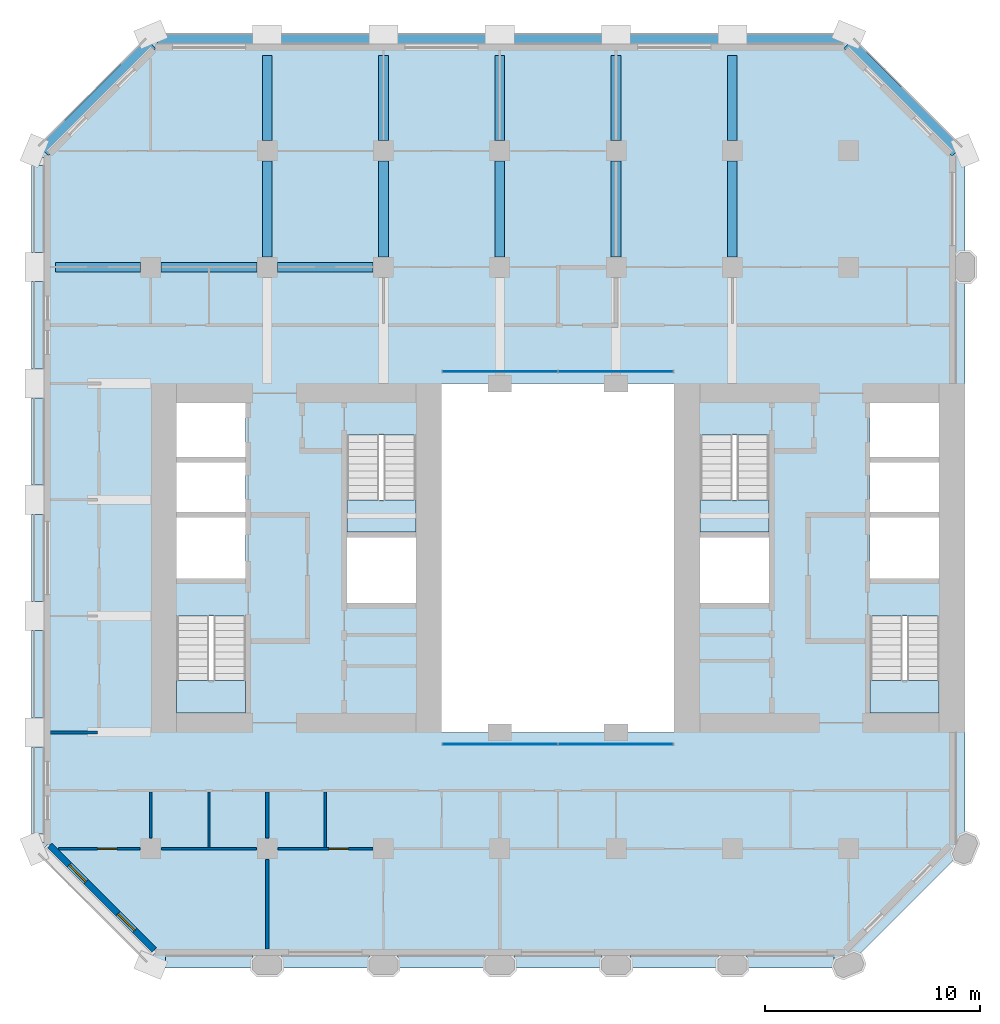
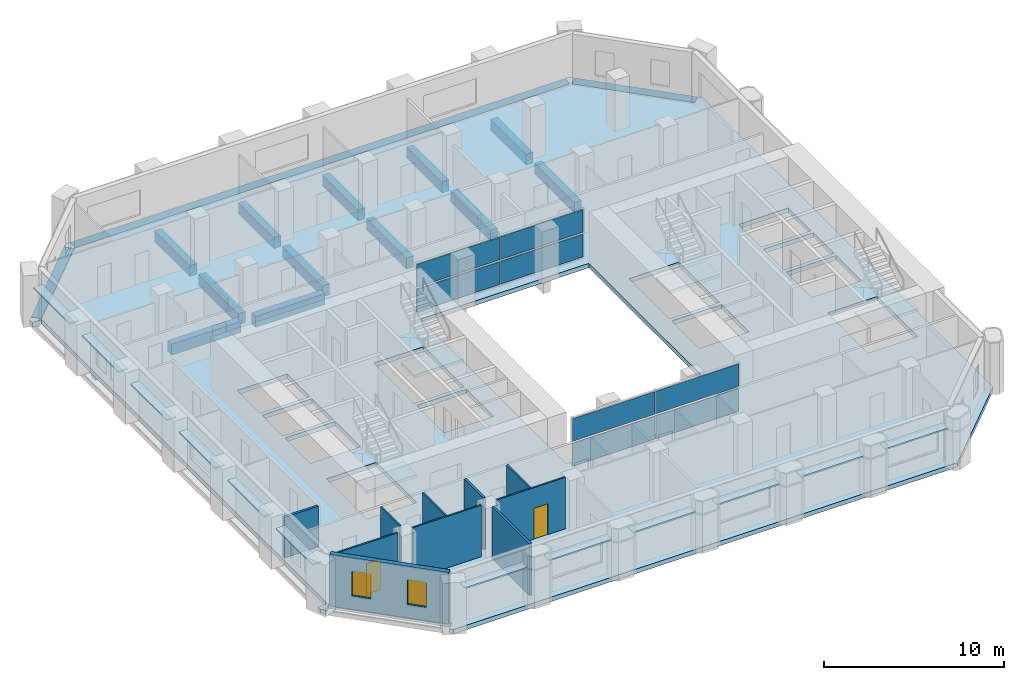
# One storey, part 5 of 13: 20 plates, 16 beams, 10 walls, 5 slabs, 2 doors, 2 windows, 4 openings, 6 elements without a shape of their own.
"""IFC4 building model written with IfcOpenShell, lengths in metres."""

from ifc_helpers import new_model, si_unit, direction, frame, frame_2d, origin, origin_2d, place, context, subcontext, project, spatial, polyline, rectangle, outline, extrude, material, layer, layer_set, material_profile, profile_set, type_object, element, fill, aggregate, save


model = new_model("IFC4")

# Units and contexts
model_context = context("Model", 3, precision=1e-05, world=origin(), true_north=direction((0.0, 1.0)))
body_context = subcontext(model_context, "Body", "Model", "MODEL_VIEW")
ifc_project = project(units=[si_unit("LENGTHUNIT", "METRE"), si_unit("AREAUNIT", "SQUARE_METRE"), si_unit("VOLUMEUNIT", "CUBIC_METRE"), si_unit("PLANEANGLEUNIT", "RADIAN"), si_unit("MASSUNIT", "GRAM", prefix="KILO")], contexts=[model_context])

# Site, building, storey
site_placement = place(None, origin())
site = spatial("IfcSite", under=ifc_project, at=site_placement, CompositionType="ELEMENT")
building_placement = place(site_placement, origin())
building = spatial("IfcBuilding", under=site, at=building_placement, Name="Tabaq Tower and Sports Hall", CompositionType="ELEMENT")
storey_placement = place(building_placement, frame((0.0, 0.0, 106.800048828125)))
storey = spatial("IfcBuildingStorey", under=building, at=storey_placement, Name="L25", CompositionType="ELEMENT", Elevation=106.800048828125)

# Beams
ifc_material_1 = material(Name="Concrete C40/50", Category="concrete")
ifc_material_profile_1 = material_profile(ifc_material_1, rectangle(XDim=0.449951171875, YDim=0.75, at=origin_2d()), Name="CB 450x750")
ifc_profile_set_1 = profile_set([ifc_material_profile_1], Name="Concrete C40/50")
beam_type_1 = type_object("IfcBeamType", Name="PT CANTILEVER BEAM CB 450x750 C40/50", PredefinedType="BEAM", material=ifc_profile_set_1)
beam_1_placement = place(storey_placement, frame((0.97509765625, 37.800048828125, -0.675048828125), z_axis=(1.0, 0.0, 0.0), x_axis=(0.0, 1.0, 0.0)))
element("IfcBeam", 1, at=beam_1_placement, inside=storey, type_object=beam_type_1, Name="Cantilever Beam L25 W7 span 1", PredefinedType="BEAM", context=body_context, shape_type="SweptSolid", body=[
    extrude(rectangle(XDim=0.449951171875, YDim=0.75, at=origin_2d()), origin(), (0.0, 0.0, 1.0), 3.949951171875),
])
beam_2_placement = place(storey_placement, frame((5.875, 37.800048828125, -0.675048828125), z_axis=(1.0, 0.0, 0.0), x_axis=(0.0, 1.0, 0.0)))
element("IfcBeam", 2, at=beam_2_placement, inside=storey, type_object=beam_type_1, Name="Cantilever Beam L25 W7 span 2", PredefinedType="BEAM", context=body_context, shape_type="SweptSolid", body=[
    extrude(rectangle(XDim=0.449951171875, YDim=0.75, at=origin_2d()), origin(), (0.0, 0.0, 1.0), 4.449951171875),
])
beam_3_placement = place(storey_placement, frame((11.27490234375, 37.800048828125, -0.675048828125), z_axis=(1.0, 0.0, 0.0), x_axis=(0.0, 1.0, 0.0)))
element("IfcBeam", 3, at=beam_3_placement, inside=storey, type_object=beam_type_1, Name="Cantilever Beam L25 W7 span 3", PredefinedType="BEAM", context=body_context, shape_type="SweptSolid", body=[
    extrude(rectangle(XDim=0.449951171875, YDim=0.75, at=origin_2d()), origin(), (0.0, 0.0, 1.0), 4.4501953125),
])
beam_4_placement = place(storey_placement, frame((10.800048828125, 47.625, -0.675048828125), z_axis=(0.0, -1.0, 0.0), x_axis=(1.0, 0.0, 0.0)))
element("IfcBeam", 4, at=beam_4_placement, inside=storey, type_object=beam_type_1, Name="Cantilever Beam L25 N2 span 1", PredefinedType="BEAM", context=body_context, shape_type="SweptSolid", body=[
    extrude(rectangle(XDim=0.449951171875, YDim=0.75, at=origin_2d()), origin(), (0.0, 0.0, 1.0), 3.949951171875),
])
beam_5_placement = place(storey_placement, frame((10.800048828125, 42.72509765625, -0.675048828125), z_axis=(0.0, -1.0, 0.0), x_axis=(1.0, 0.0, 0.0)))
element("IfcBeam", 5, at=beam_5_placement, inside=storey, type_object=beam_type_1, Name="Cantilever Beam L25 N2 span 2", PredefinedType="BEAM", context=body_context, shape_type="SweptSolid", body=[
    extrude(rectangle(XDim=0.449951171875, YDim=0.75, at=origin_2d()), origin(), (0.0, 0.0, 1.0), 4.4501953125),
])
beam_6_placement = place(storey_placement, frame((16.199951171875, 47.625, -0.675048828125), z_axis=(0.0, -1.0, 0.0), x_axis=(1.0, 0.0, 0.0)))
element("IfcBeam", 6, at=beam_6_placement, inside=storey, type_object=beam_type_1, Name="Cantilever Beam L25 N3 span 1", PredefinedType="BEAM", context=body_context, shape_type="SweptSolid", body=[
    extrude(rectangle(XDim=0.449951171875, YDim=0.75, at=origin_2d()), origin(), (0.0, 0.0, 1.0), 3.949951171875),
])
beam_7_placement = place(storey_placement, frame((16.199951171875, 42.72509765625, -0.675048828125), z_axis=(0.0, -1.0, 0.0), x_axis=(1.0, 0.0, 0.0)))
element("IfcBeam", 7, at=beam_7_placement, inside=storey, type_object=beam_type_1, Name="Cantilever Beam L25 N3 span 2", PredefinedType="BEAM", context=body_context, shape_type="SweptSolid", body=[
    extrude(rectangle(XDim=0.449951171875, YDim=0.75, at=origin_2d()), origin(), (0.0, 0.0, 1.0), 4.4501953125),
])
beam_8_placement = place(storey_placement, frame((21.60009765625, 47.625, -0.675048828125), z_axis=(0.0, -1.0, 0.0), x_axis=(1.0, 0.0, 0.0)))
element("IfcBeam", 8, at=beam_8_placement, inside=storey, type_object=beam_type_1, Name="Cantilever Beam L25 N4 span 1", PredefinedType="BEAM", context=body_context, shape_type="SweptSolid", body=[
    extrude(rectangle(XDim=0.449951171875, YDim=0.75, at=origin_2d()), origin(), (0.0, 0.0, 1.0), 3.949951171875),
])
beam_9_placement = place(storey_placement, frame((21.60009765625, 42.72509765625, -0.675048828125), z_axis=(0.0, -1.0, 0.0), x_axis=(1.0, 0.0, 0.0)))
element("IfcBeam", 9, at=beam_9_placement, inside=storey, type_object=beam_type_1, Name="Cantilever Beam L25 N4 span 2", PredefinedType="BEAM", context=body_context, shape_type="SweptSolid", body=[
    extrude(rectangle(XDim=0.449951171875, YDim=0.75, at=origin_2d()), origin(), (0.0, 0.0, 1.0), 4.4501953125),
])
beam_10_placement = place(storey_placement, frame((27.0, 47.625, -0.675048828125), z_axis=(0.0, -1.0, 0.0), x_axis=(1.0, 0.0, 0.0)))
element("IfcBeam", 10, at=beam_10_placement, inside=storey, type_object=beam_type_1, Name="Cantilever Beam L25 N5 span 1", PredefinedType="BEAM", context=body_context, shape_type="SweptSolid", body=[
    extrude(rectangle(XDim=0.449951171875, YDim=0.75, at=origin_2d()), origin(), (0.0, 0.0, 1.0), 3.949951171875),
])
beam_11_placement = place(storey_placement, frame((27.0, 42.72509765625, -0.675048828125), z_axis=(0.0, -1.0, 0.0), x_axis=(1.0, 0.0, 0.0)))
element("IfcBeam", 11, at=beam_11_placement, inside=storey, type_object=beam_type_1, Name="Cantilever Beam L25 N5 span 2", PredefinedType="BEAM", context=body_context, shape_type="SweptSolid", body=[
    extrude(rectangle(XDim=0.449951171875, YDim=0.75, at=origin_2d()), origin(), (0.0, 0.0, 1.0), 4.4501953125),
])
beam_12_placement = place(storey_placement, frame((32.39990234375, 47.625, -0.675048828125), z_axis=(0.0, -1.0, 0.0), x_axis=(1.0, 0.0, 0.0)))
element("IfcBeam", 12, at=beam_12_placement, inside=storey, type_object=beam_type_1, Name="Cantilever Beam L25 N6 span 1", PredefinedType="BEAM", context=body_context, shape_type="SweptSolid", body=[
    extrude(rectangle(XDim=0.449951171875, YDim=0.75, at=origin_2d()), origin(), (0.0, 0.0, 1.0), 3.949951171875),
])
beam_13_placement = place(storey_placement, frame((32.39990234375, 42.72509765625, -0.675048828125), z_axis=(0.0, -1.0, 0.0), x_axis=(1.0, 0.0, 0.0)))
element("IfcBeam", 13, at=beam_13_placement, inside=storey, type_object=beam_type_1, Name="Cantilever Beam L25 N6 span 2", PredefinedType="BEAM", context=body_context, shape_type="SweptSolid", body=[
    extrude(rectangle(XDim=0.449951171875, YDim=0.75, at=origin_2d()), origin(), (0.0, 0.0, 1.0), 4.4501953125),
])
ifc_material_2 = material(Name="Concrete C40/50", Category="concrete")
ifc_material_profile_2 = material_profile(ifc_material_2, rectangle(XDim=0.60009765625, YDim=0.300048828125, at=origin_2d()), Name="EB 600x300")
ifc_profile_set_2 = profile_set([ifc_material_profile_2], Name="Concrete C40/50")
beam_type_2 = type_object("IfcBeamType", Name="PT EDGE BEAM EB 600x300 C40/50", PredefinedType="SPANDREL", material=ifc_profile_set_2)
beam_14_placement = place(storey_placement, frame((42.81103515625, 43.16455078125, -0.150146484375), z_axis=(-0.707089559252, 0.707124002701, 0.0), x_axis=(-0.707124002701, -0.707089559252, 0.0)))
element("IfcBeam", 14, at=beam_14_placement, inside=storey, type_object=beam_type_2, Name="Edge Beam L25 1", PredefinedType="SPANDREL", context=body_context, shape_type="SweptSolid", body=[
    extrude(rectangle(XDim=0.60009765625, YDim=0.300048828125, at=origin_2d()), origin(), (0.0, 0.0, 1.0), 7.088134765625),
])
beam_15_placement = place(storey_placement, frame((37.50146484375, 48.300048828125, -0.150146484375), z_axis=(-1.0, 0.0, 0.0), x_axis=(0.0, -1.0, 0.0)))
element("IfcBeam", 15, at=beam_15_placement, inside=storey, type_object=beam_type_2, Name="Edge Beam L25 2", PredefinedType="SPANDREL", context=body_context, shape_type="SweptSolid", body=[
    extrude(rectangle(XDim=0.60009765625, YDim=0.300048828125, at=origin_2d()), origin(), (0.0, 0.0, 1.0), 31.802978515625),
])
beam_16_placement = place(storey_placement, frame((5.401123046875, 48.1767578125, -0.150146484375), z_axis=(-0.707106781187, -0.707106781187, 0.0), x_axis=(0.707106781187, -0.707106781187, 0.0)))
element("IfcBeam", 16, at=beam_16_placement, inside=storey, type_object=beam_type_2, Name="Edge Beam L25 3", PredefinedType="SPANDREL", context=body_context, shape_type="SweptSolid", body=[
    extrude(rectangle(XDim=0.60009765625, YDim=0.300048828125, at=origin_2d()), origin(), (0.0, 0.0, 1.0), 7.03955078125),
])

# Curtain wall, plates
ifc_material_3 = material(Name="Aluminium alloy 6063-T6 framed glazing", Category="aluminium")
curtain_wall_type = type_object("IfcCurtainWallType", Name="CW1 curtain wall", PredefinedType="USERDEFINED", material=ifc_material_3)
curtain_wall_1_placement = place(storey_placement, origin())
curtain_wall_1 = element("IfcCurtainWall", 17, at=curtain_wall_1_placement, inside=storey, type_object=curtain_wall_type, Name="Atrium glazing L25 S", ObjectType="ATRIUM ENCLOSURE", PredefinedType="USERDEFINED")
ifc_material_4 = material(Name="Clear low-emissivity glass 28 mm", Category="glass")
ifc_layer_1 = layer(ifc_material_4, 0.028076171875)
ifc_layer_set_1 = layer_set([ifc_layer_1], Name="CW1 glass panel 28")
plate_type_1 = type_object("IfcPlateType", Name="CW1 glass panel 28", PredefinedType="CURTAIN_PANEL", material=ifc_layer_set_1)
plate_1_placement = place(storey_placement, frame((21.614990234375, 15.64990234375, 0.139892578125), z_axis=(0.0, 0.0, 1.0), x_axis=(1.0, 0.0, 0.0)))
plate_1 = element("IfcPlate", 18, at=plate_1_placement, type_object=plate_type_1, Name="CW1 panel 1.1", PredefinedType="CURTAIN_PANEL", context=body_context, shape_type="SweptSolid", body=[
    extrude(rectangle(XDim=5.31005859375, YDim=0.028076171875, at=origin_2d()), origin(), (0.0, 0.0, 1.0), 1.5400390625),
])
plate_2_placement = place(storey_placement, frame((21.614990234375, 15.64990234375, 1.81982421875), z_axis=(0.0, 0.0, 1.0), x_axis=(1.0, 0.0, 0.0)))
plate_2 = element("IfcPlate", 19, at=plate_2_placement, type_object=plate_type_1, Name="CW1 panel 1.2", PredefinedType="CURTAIN_PANEL", context=body_context, shape_type="SweptSolid", body=[
    extrude(rectangle(XDim=5.31005859375, YDim=0.028076171875, at=origin_2d()), origin(), (0.0, 0.0, 1.0), 1.5400390625),
])
plate_3_placement = place(storey_placement, frame((26.985107421875, 15.64990234375, 0.139892578125), z_axis=(0.0, 0.0, 1.0), x_axis=(1.0, 0.0, 0.0)))
plate_3 = element("IfcPlate", 20, at=plate_3_placement, type_object=plate_type_1, Name="CW1 panel 2.1", PredefinedType="CURTAIN_PANEL", context=body_context, shape_type="SweptSolid", body=[
    extrude(rectangle(XDim=5.31005859375, YDim=0.028076171875, at=origin_2d()), origin(), (0.0, 0.0, 1.0), 1.5400390625),
])
plate_4_placement = place(storey_placement, frame((26.985107421875, 15.64990234375, 1.81982421875), z_axis=(0.0, 0.0, 1.0), x_axis=(1.0, 0.0, 0.0)))
plate_4 = element("IfcPlate", 21, at=plate_4_placement, type_object=plate_type_1, Name="CW1 panel 2.2", PredefinedType="CURTAIN_PANEL", context=body_context, shape_type="SweptSolid", body=[
    extrude(rectangle(XDim=5.31005859375, YDim=0.028076171875, at=origin_2d()), origin(), (0.0, 0.0, 1.0), 1.5400390625),
])
aggregate(curtain_wall_1, [plate_1, plate_2, plate_3, plate_4])

curtain_wall_2_placement = place(storey_placement, origin())
curtain_wall_2 = element("IfcCurtainWall", 22, at=curtain_wall_2_placement, inside=storey, type_object=curtain_wall_type, Name="Atrium glazing L25 N", ObjectType="ATRIUM ENCLOSURE", PredefinedType="USERDEFINED")
plate_5_placement = place(storey_placement, frame((21.614990234375, 32.949951171875, 0.139892578125), z_axis=(0.0, 0.0, 1.0), x_axis=(1.0, 0.0, 0.0)))
plate_5 = element("IfcPlate", 23, at=plate_5_placement, type_object=plate_type_1, Name="CW1 panel 1.1", PredefinedType="CURTAIN_PANEL", context=body_context, shape_type="SweptSolid", body=[
    extrude(rectangle(XDim=5.31005859375, YDim=0.028076171875, at=origin_2d()), origin(), (0.0, 0.0, 1.0), 1.5400390625),
])
plate_6_placement = place(storey_placement, frame((21.614990234375, 32.949951171875, 1.81982421875), z_axis=(0.0, 0.0, 1.0), x_axis=(1.0, 0.0, 0.0)))
plate_6 = element("IfcPlate", 24, at=plate_6_placement, type_object=plate_type_1, Name="CW1 panel 1.2", PredefinedType="CURTAIN_PANEL", context=body_context, shape_type="SweptSolid", body=[
    extrude(rectangle(XDim=5.31005859375, YDim=0.028076171875, at=origin_2d()), origin(), (0.0, 0.0, 1.0), 1.5400390625),
])
plate_7_placement = place(storey_placement, frame((26.985107421875, 32.949951171875, 0.139892578125), z_axis=(0.0, 0.0, 1.0), x_axis=(1.0, 0.0, 0.0)))
plate_7 = element("IfcPlate", 25, at=plate_7_placement, type_object=plate_type_1, Name="CW1 panel 2.1", PredefinedType="CURTAIN_PANEL", context=body_context, shape_type="SweptSolid", body=[
    extrude(rectangle(XDim=5.31005859375, YDim=0.028076171875, at=origin_2d()), origin(), (0.0, 0.0, 1.0), 1.5400390625),
])
plate_8_placement = place(storey_placement, frame((26.985107421875, 32.949951171875, 1.81982421875), z_axis=(0.0, 0.0, 1.0), x_axis=(1.0, 0.0, 0.0)))
plate_8 = element("IfcPlate", 26, at=plate_8_placement, type_object=plate_type_1, Name="CW1 panel 2.2", PredefinedType="CURTAIN_PANEL", context=body_context, shape_type="SweptSolid", body=[
    extrude(rectangle(XDim=5.31005859375, YDim=0.028076171875, at=origin_2d()), origin(), (0.0, 0.0, 1.0), 1.5400390625),
])
aggregate(curtain_wall_2, [plate_5, plate_6, plate_7, plate_8])

# Stair, slab
ifc_material_5 = material(Name="Concrete C40/50", Category="concrete")
stair_type = type_object("IfcStairType", Name="Exit stair", PredefinedType="HALF_TURN_STAIR", material=ifc_material_5)
stair_1_placement = place(storey_placement, origin())
stair_1 = element("IfcStair", 27, at=stair_1_placement, inside=storey, type_object=stair_type, Name="L25 Exit stair ST1", PredefinedType="HALF_TURN_STAIR")
ifc_material_6 = material(Name="Concrete C40/50", Category="concrete")
ifc_layer_2 = layer(ifc_material_6, 0.199951171875)
ifc_layer_set_2 = layer_set([ifc_layer_2], Name="Exit stair landing")
slab_type_1 = type_object("IfcSlabType", Name="Exit stair landing", PredefinedType="LANDING", material=ifc_layer_set_2)
slab_1_placement = place(storey_placement, frame((0.0, 0.0, 1.699951171875)))
slab_1 = element("IfcSlab", 28, at=slab_1_placement, type_object=slab_type_1, Name="ST1 landing 1", PredefinedType="LANDING", context=body_context, shape_type="SweptSolid", body=[
    extrude(outline(polyline([(6.60009765625, 18.60009765625), (6.60009765625, 17.10009765625), (9.800048828125, 17.10009765625), (9.800048828125, 18.60009765625), (6.60009765625, 18.60009765625)])), origin(), (0.0, 0.0, 1.0), 0.199951171875),
])
aggregate(stair_1, [slab_1])

stair_2_placement = place(storey_placement, origin())
stair_2 = element("IfcStair", 29, at=stair_2_placement, inside=storey, type_object=stair_type, Name="L25 Exit stair ST2", PredefinedType="HALF_TURN_STAIR")
slab_2_placement = place(storey_placement, frame((0.0, 0.0, 1.699951171875)))
slab_2 = element("IfcSlab", 30, at=slab_2_placement, type_object=slab_type_1, Name="ST2 landing 1", PredefinedType="LANDING", context=body_context, shape_type="SweptSolid", body=[
    extrude(outline(polyline([(14.5, 27.0), (14.5, 25.5), (17.699951171875, 25.5), (17.699951171875, 27.0), (14.5, 27.0)])), origin(), (0.0, 0.0, 1.0), 0.199951171875),
])
aggregate(stair_2, [slab_2])

stair_3_placement = place(storey_placement, origin())
stair_3 = element("IfcStair", 31, at=stair_3_placement, inside=storey, type_object=stair_type, Name="L25 Exit stair ST3", PredefinedType="HALF_TURN_STAIR")
slab_3_placement = place(storey_placement, frame((0.0, 0.0, 1.699951171875)))
slab_3 = element("IfcSlab", 32, at=slab_3_placement, type_object=slab_type_1, Name="ST3 landing 1", PredefinedType="LANDING", context=body_context, shape_type="SweptSolid", body=[
    extrude(outline(polyline([(38.800048828125, 18.60009765625), (38.800048828125, 17.10009765625), (42.0, 17.10009765625), (42.0, 18.60009765625), (38.800048828125, 18.60009765625)])), origin(), (0.0, 0.0, 1.0), 0.199951171875),
])
aggregate(stair_3, [slab_3])

stair_4_placement = place(storey_placement, origin())
stair_4 = element("IfcStair", 33, at=stair_4_placement, inside=storey, type_object=stair_type, Name="L25 Exit stair ST4", PredefinedType="HALF_TURN_STAIR")
slab_4_placement = place(storey_placement, frame((0.0, 0.0, 1.699951171875)))
slab_4 = element("IfcSlab", 34, at=slab_4_placement, type_object=slab_type_1, Name="ST4 landing 1", PredefinedType="LANDING", context=body_context, shape_type="SweptSolid", body=[
    extrude(outline(polyline([(30.89990234375, 27.0), (30.89990234375, 25.5), (34.10009765625, 25.5), (34.10009765625, 27.0), (30.89990234375, 27.0)])), origin(), (0.0, 0.0, 1.0), 0.199951171875),
])
aggregate(stair_4, [slab_4])

# Slab
ifc_material_7 = material(Name="Concrete C40/50", Category="concrete")
ifc_layer_3 = layer(ifc_material_7, 0.300048828125)
ifc_layer_set_3 = layer_set([ifc_layer_3], Name="PT FLOOR SLAB 300 C40/50")
slab_type_2 = type_object("IfcSlabType", Name="PT FLOOR SLAB 300 C40/50", PredefinedType="FLOOR", material=ifc_layer_set_3)
slab_5_placement = place(storey_placement, frame((0.0, 0.0, -0.300048828125)))
element("IfcSlab", 35, at=slab_5_placement, inside=storey, type_object=slab_type_2, Name="Floor Slab L25", PredefinedType="FLOOR", context=body_context, shape_type="SweptSolid", body=[
    extrude(outline(polyline([(0.0, 11.0986328125), (0.0, 10.800048828125), (0.211181640625, 10.5888671875), (0.63525390625, 11.01318359375), (5.6474609375, 6.0009765625), (5.57666015625, 5.930419921875), (5.22314453125, 5.57666015625), (5.39990234375, 5.39990234375), (37.800048828125, 5.39990234375), (43.199951171875, 10.800048828125), (43.199951171875, 43.199951171875), (43.023193359375, 43.376708984375), (42.669677734375, 43.023193359375), (42.598876953125, 42.952392578125), (37.5869140625, 47.964599609375), (37.657470703125, 48.035400390625), (38.010986328125, 48.388916015625), (37.800048828125, 48.60009765625), (37.50146484375, 48.60009765625), (37.50146484375, 48.10009765625), (37.50146484375, 48.0), (5.698486328125, 48.0), (5.698486328125, 48.10009765625), (5.698486328125, 48.60009765625), (5.39990234375, 48.60009765625), (5.18896484375, 48.388916015625), (5.54248046875, 48.035400390625), (5.61328125, 47.964599609375), (0.63525390625, 42.98681640625), (0.211181640625, 43.4111328125), (0.0, 43.199951171875), (0.0, 42.9013671875), (0.5, 42.9013671875), (0.60009765625, 42.9013671875), (0.60009765625, 11.0986328125), (0.5, 11.0986328125), (0.0, 11.0986328125)]), holes=[polyline([(6.60009765625, 21.599365234375), (9.800048828125, 21.599365234375), (9.800048828125, 17.10009765625), (6.60009765625, 17.10009765625), (6.60009765625, 21.599365234375)]), polyline([(17.699951171875, 25.25), (17.699951171875, 22.199951171875), (14.5, 22.199951171875), (14.5, 25.25), (17.699951171875, 25.25)]), polyline([(18.89990234375, 32.39990234375), (29.699951171875, 32.39990234375), (29.699951171875, 16.199951171875), (18.89990234375, 16.199951171875), (18.89990234375, 32.39990234375)]), polyline([(6.60009765625, 26.175048828125), (9.800048828125, 26.175048828125), (9.800048828125, 23.35009765625), (6.60009765625, 23.35009765625), (6.60009765625, 26.175048828125)]), polyline([(9.800048828125, 28.72509765625), (9.800048828125, 26.425048828125), (6.60009765625, 26.425048828125), (6.60009765625, 28.72509765625), (9.800048828125, 28.72509765625)]), polyline([(17.699951171875, 29.99951171875), (17.699951171875, 25.5), (14.5, 25.5), (14.5, 29.99951171875), (17.699951171875, 29.99951171875)]), polyline([(6.60009765625, 31.5), (9.800048828125, 31.5), (9.800048828125, 28.97509765625), (6.60009765625, 28.97509765625), (6.60009765625, 31.5)]), polyline([(42.0, 21.599365234375), (42.0, 17.10009765625), (38.800048828125, 17.10009765625), (38.800048828125, 21.599365234375), (42.0, 21.599365234375)]), polyline([(34.10009765625, 25.25), (34.10009765625, 22.199951171875), (30.89990234375, 22.199951171875), (30.89990234375, 25.25), (34.10009765625, 25.25)]), polyline([(42.0, 26.175048828125), (42.0, 23.35009765625), (38.800048828125, 23.35009765625), (38.800048828125, 26.175048828125), (42.0, 26.175048828125)]), polyline([(42.0, 28.72509765625), (42.0, 26.425048828125), (38.800048828125, 26.425048828125), (38.800048828125, 28.72509765625), (42.0, 28.72509765625)]), polyline([(34.10009765625, 29.99951171875), (34.10009765625, 25.5), (30.89990234375, 25.5), (30.89990234375, 29.99951171875), (34.10009765625, 29.99951171875)]), polyline([(42.0, 31.5), (42.0, 28.97509765625), (38.800048828125, 28.97509765625), (38.800048828125, 31.5), (42.0, 31.5)])]), origin(), (0.0, 0.0, 1.0), 0.300048828125),
])

# Plates
ifc_material_8 = material(Name="White precast concrete C60/75 blade", Category="concrete")
ifc_layer_4 = layer(ifc_material_8, 0.10009765625)
ifc_layer_set_4 = layer_set([ifc_layer_4], Name="White precast concrete C60/75 sunshade 100")
plate_type_2 = type_object("IfcPlateType", Name="White precast concrete C60/75 sunshade 100", PredefinedType="USERDEFINED", material=ifc_layer_set_4)
for number, where, z_axis, x_axis, name in (
    (36, (8.10009765625, 5.550048828125, 2.599853515625), (0.0, 0.0, 1.0), (1.0, 0.0, 0.0), "Sunshade L25 S"),
    (37, (13.5, 5.550048828125, 2.599853515625), (0.0, 0.0, 1.0), (1.0, 0.0, 0.0), "Sunshade L25 S"),
    (38, (18.89990234375, 5.550048828125, 2.599853515625), (0.0, 0.0, 1.0), (1.0, 0.0, 0.0), "Sunshade L25 S"),
    (39, (24.300048828125, 5.550048828125, 2.599853515625), (0.0, 0.0, 1.0), (1.0, 0.0, 0.0), "Sunshade L25 S"),
    (40, (29.699951171875, 5.550048828125, 2.599853515625), (0.0, 0.0, 1.0), (1.0, 0.0, 0.0), "Sunshade L25 S"),
    (41, (35.10009765625, 5.550048828125, 2.599853515625), (0.0, 0.0, 1.0), (1.0, 0.0, 0.0), "Sunshade L25 S"),
    (42, (0.14990234375, 40.5, 2.599853515625), (0.0, 0.0, 1.0), (0.0, -1.0, 0.0), "Sunshade L25 W"),
    (43, (0.14990234375, 35.10009765625, 2.599853515625), (0.0, 0.0, 1.0), (0.0, -1.0, 0.0), "Sunshade L25 W"),
    (44, (0.14990234375, 29.699951171875, 2.599853515625), (0.0, 0.0, 1.0), (0.0, -1.0, 0.0), "Sunshade L25 W"),
    (45, (0.14990234375, 24.300048828125, 2.599853515625), (0.0, 0.0, 1.0), (0.0, -1.0, 0.0), "Sunshade L25 W"),
    (46, (0.14990234375, 18.89990234375, 2.599853515625), (0.0, 0.0, 1.0), (0.0, -1.0, 0.0), "Sunshade L25 W"),
    (47, (0.14990234375, 13.5, 2.599853515625), (0.0, 0.0, 1.0), (0.0, -1.0, 0.0), "Sunshade L25 W"),
):
    element("IfcPlate", number, at=place(storey_placement, frame(where, z_axis=z_axis, x_axis=x_axis)), inside=storey, type_object=plate_type_2, Name=name, ObjectType="SUNSHADE", PredefinedType="USERDEFINED", context=body_context, shape_type="SweptSolid", body=[
        extrude(rectangle(XDim=4.050048828125, YDim=0.60009765625, at=origin_2d()), origin(), (0.0, 0.0, 1.0), 0.10009765625),
    ])

# Wall, opening, door
ifc_material_9 = material(Name="Gypsum board on steel studs", Category="steel")
ifc_layer_5 = layer(ifc_material_9, 0.10009765625)
ifc_layer_set_5 = layer_set([ifc_layer_5], Name="Partition 100 Gypsum board")
wall_type_1 = type_object("IfcWallType", Name="Partition 100 Gypsum board", PredefinedType="PARTITIONING", material=ifc_layer_set_5)
wall_1_placement = place(storey_placement, frame((1.112060546875, 10.800048828125, 0.0), z_axis=(0.0, 0.0, 1.0), x_axis=(1.0, 0.0, 0.0)))
wall_1 = element("IfcWall", 48, at=wall_1_placement, inside=storey, type_object=wall_type_1, Name="Partition wall L25", PredefinedType="PARTITIONING", context=body_context, shape_type="SweptSolid", body=[
    extrude(rectangle(XDim=3.79296875, YDim=0.10009765625, at=frame_2d((1.896484375, 0.0))), origin(), (0.0, 0.0, 1.0), 3.5),
])
opening_1_placement = place(wall_1_placement, frame((1.81298828125, 0.0, 0.0)))
opening_1 = element("IfcOpeningElement", 49, at=opening_1_placement, cuts=wall_1, Name="Opening L25-019", PredefinedType="OPENING", context=body_context, shape_type="SweptSolid", body=[
    extrude(rectangle(XDim=0.89990234375, YDim=2.10009765625, at=frame_2d((0.449951171875, 1.050048828125))), frame((0.0, 0.050048828125, 0.0), z_axis=(0.0, -1.0, 0.0), x_axis=(1.0, 0.0, 0.0)), (0.0, 0.0, 1.0), 0.10009765625),
])
ifc_material_10 = material(Name="Timber leaf in steel frame", Category="steel")
door_type_1 = type_object("IfcDoorType", Name="Internal door 900 right hand", OperationType="SINGLE_SWING_RIGHT", PredefinedType="DOOR", material=ifc_material_10)
door_1_placement = place(opening_1_placement, origin())
door_1 = element("IfcDoor", 50, at=door_1_placement, inside=storey, type_object=door_type_1, Name="Internal door L25-019", OperationType="SINGLE_SWING_RIGHT", OverallHeight=2.10009765625, OverallWidth=0.89990234375, PredefinedType="DOOR", context=body_context, shape_type="SweptSolid", body=[
    extrude(rectangle(XDim=0.89990234375, YDim=2.10009765625, at=frame_2d((0.449951171875, 1.050048828125))), frame((0.0, 0.02490234375, 0.0), z_axis=(0.0, -1.0, 0.0), x_axis=(1.0, 0.0, 0.0)), (0.0, 0.0, 1.0), 0.050048828125),
])
fill(opening_1, door_1)

# Walls
wall_2_placement = place(storey_placement, frame((5.39990234375, 11.294921875, 0.0), z_axis=(0.0, 0.0, 1.0), x_axis=(0.0, 1.0, 0.0)))
element("IfcWall", 51, at=wall_2_placement, inside=storey, type_object=wall_type_1, Name="Partition wall L25", PredefinedType="PARTITIONING", context=body_context, shape_type="SweptSolid", body=[
    extrude(rectangle(XDim=2.130126953125, YDim=0.10009765625, at=frame_2d((1.06494140625, 0.0))), origin(), (0.0, 0.0, 1.0), 3.5),
])
wall_3_placement = place(storey_placement, frame((8.10009765625, 10.85009765625, 0.0), z_axis=(0.0, 0.0, 1.0), x_axis=(0.0, 1.0, 0.0)))
element("IfcWall", 52, at=wall_3_placement, inside=storey, type_object=wall_type_1, Name="Partition wall L25", PredefinedType="PARTITIONING", context=body_context, shape_type="SweptSolid", body=[
    extrude(rectangle(XDim=2.574951171875, YDim=0.10009765625, at=frame_2d((1.28759765625, 0.0))), origin(), (0.0, 0.0, 1.0), 3.5),
])
wall_4_placement = place(storey_placement, frame((5.89501953125, 10.800048828125, 0.0), z_axis=(0.0, 0.0, 1.0), x_axis=(1.0, 0.0, 0.0)))
element("IfcWall", 53, at=wall_4_placement, inside=storey, type_object=wall_type_1, Name="Partition wall L25", PredefinedType="PARTITIONING", context=body_context, shape_type="SweptSolid", body=[
    extrude(rectangle(XDim=4.409912109375, YDim=0.10009765625, at=frame_2d((2.205078125, 0.0))), origin(), (0.0, 0.0, 1.0), 3.5),
])
wall_5_placement = place(storey_placement, frame((13.5, 10.85009765625, 0.0), z_axis=(0.0, 0.0, 1.0), x_axis=(0.0, 1.0, 0.0)))
element("IfcWall", 54, at=wall_5_placement, inside=storey, type_object=wall_type_1, Name="Partition wall L25", PredefinedType="PARTITIONING", context=body_context, shape_type="SweptSolid", body=[
    extrude(rectangle(XDim=2.574951171875, YDim=0.10009765625, at=frame_2d((1.28759765625, 0.0))), origin(), (0.0, 0.0, 1.0), 3.5),
])

# Wall, opening, door
wall_6_placement = place(storey_placement, frame((11.294921875, 10.800048828125, 0.0), z_axis=(0.0, 0.0, 1.0), x_axis=(1.0, 0.0, 0.0)))
wall_6 = element("IfcWall", 55, at=wall_6_placement, inside=storey, type_object=wall_type_1, Name="Partition wall L25", PredefinedType="PARTITIONING", context=body_context, shape_type="SweptSolid", body=[
    extrude(rectangle(XDim=4.41015625, YDim=0.10009765625, at=frame_2d((2.205078125, 0.0))), origin(), (0.0, 0.0, 1.0), 3.5),
])
opening_2_placement = place(wall_6_placement, frame((2.375, 0.0, 0.0)))
opening_2 = element("IfcOpeningElement", 56, at=opening_2_placement, cuts=wall_6, Name="Opening L25-030", PredefinedType="OPENING", context=body_context, shape_type="SweptSolid", body=[
    extrude(rectangle(XDim=0.89990234375, YDim=2.10009765625, at=frame_2d((0.449951171875, 1.050048828125))), frame((0.0, 0.050048828125, 0.0), z_axis=(0.0, -1.0, 0.0), x_axis=(1.0, 0.0, 0.0)), (0.0, 0.0, 1.0), 0.10009765625),
])
ifc_material_11 = material(Name="Timber leaf in steel frame", Category="steel")
door_type_2 = type_object("IfcDoorType", Name="Internal door 900 left hand", OperationType="SINGLE_SWING_LEFT", PredefinedType="DOOR", material=ifc_material_11)
door_2_placement = place(opening_2_placement, origin())
door_2 = element("IfcDoor", 57, at=door_2_placement, inside=storey, type_object=door_type_2, Name="Internal door L25-030", OperationType="SINGLE_SWING_LEFT", OverallHeight=2.10009765625, OverallWidth=0.89990234375, PredefinedType="DOOR", context=body_context, shape_type="SweptSolid", body=[
    extrude(rectangle(XDim=0.89990234375, YDim=2.10009765625, at=frame_2d((0.449951171875, 1.050048828125))), frame((0.0, 0.02490234375, 0.0), z_axis=(0.0, -1.0, 0.0), x_axis=(1.0, 0.0, 0.0)), (0.0, 0.0, 1.0), 0.050048828125),
])
fill(opening_2, door_2)

# Walls
ifc_material_12 = material(Name="Blockwork", Category="masonry")
ifc_layer_6 = layer(ifc_material_12, 0.14990234375)
ifc_layer_set_6 = layer_set([ifc_layer_6], Name="Separating wall 150 Blockwork")
wall_type_2 = type_object("IfcWallType", Name="Separating wall 150 Blockwork", PredefinedType="PARTITIONING", material=ifc_layer_set_6)
wall_7_placement = place(storey_placement, frame((2.925048828125, 16.199951171875, 0.0), z_axis=(0.0, 0.0, 1.0), x_axis=(-1.0, 0.0, 0.0)))
element("IfcWall", 58, at=wall_7_placement, inside=storey, type_object=wall_type_2, Name="Separating wall L25", PredefinedType="PARTITIONING", context=body_context, shape_type="SweptSolid", body=[
    extrude(rectangle(XDim=2.174072265625, YDim=0.14990234375, at=frame_2d((1.0869140625, 0.0))), origin(), (0.0, 0.0, 1.0), 2.75),
])
wall_8_placement = place(storey_placement, frame((10.800048828125, 11.294921875, 0.0), z_axis=(0.0, 0.0, 1.0), x_axis=(0.0, 1.0, 0.0)))
element("IfcWall", 59, at=wall_8_placement, inside=storey, type_object=wall_type_2, Name="Separating wall L25", PredefinedType="PARTITIONING", context=body_context, shape_type="SweptSolid", body=[
    extrude(rectangle(XDim=2.130126953125, YDim=0.14990234375, at=frame_2d((1.06494140625, 0.0))), origin(), (0.0, 0.0, 1.0), 3.5),
])
wall_9_placement = place(storey_placement, frame((10.800048828125, 6.15087890625, 0.0), z_axis=(0.0, 0.0, 1.0), x_axis=(0.0, 1.0, 0.0)))
element("IfcWall", 60, at=wall_9_placement, inside=storey, type_object=wall_type_2, Name="Separating wall L25", PredefinedType="PARTITIONING", context=body_context, shape_type="SweptSolid", body=[
    extrude(rectangle(XDim=4.154052734375, YDim=0.14990234375, at=frame_2d((2.0771484375, 0.0))), origin(), (0.0, 0.0, 1.0), 3.5),
])

# Wall, openings, windows
ifc_material_13 = material(Name="White precast concrete C60/75", Category="concrete")
ifc_layer_7 = layer(ifc_material_13, 0.300048828125)
ifc_layer_set_7 = layer_set([ifc_layer_7], Name="White precast concrete C60/75 external wall 300")
wall_type_3 = type_object("IfcWallType", Name="White precast concrete C60/75 external wall 300", PredefinedType="SOLIDWALL", material=ifc_layer_set_7)
wall_10_placement = place(storey_placement, frame((0.698974609375, 10.949462890625, 0.0), z_axis=(0.0, 0.0, 1.0), x_axis=(0.707106781187, -0.707106781187, 0.0)))
wall_10 = element("IfcWall", 61, at=wall_10_placement, inside=storey, type_object=wall_type_3, Name="External Wall L25 SW", PredefinedType="SOLIDWALL", context=body_context, shape_type="SweptSolid", body=[
    extrude(rectangle(XDim=6.85986328125, YDim=0.300048828125, at=frame_2d((3.429931640625, 0.0))), origin(), (0.0, 0.0, 1.0), 3.5),
])
opening_3_placement = place(wall_10_placement, frame((1.27978515625, 0.0, 0.89990234375)))
opening_3 = element("IfcOpeningElement", 62, at=opening_3_placement, cuts=wall_10, Name="Opening W1B", PredefinedType="OPENING", context=body_context, shape_type="SweptSolid", body=[
    extrude(rectangle(XDim=1.10009765625, YDim=1.699951171875, at=frame_2d((0.550048828125, 0.85009765625))), frame((0.0, 0.16015625, 0.0), z_axis=(0.0, -1.0, 0.0), x_axis=(1.0, 0.0, 0.0)), (0.0, 0.0, 1.0), 0.320068359375),
])
opening_4_placement = place(wall_10_placement, frame((4.479736328125, 0.0, 0.89990234375)))
opening_4 = element("IfcOpeningElement", 63, at=opening_4_placement, cuts=wall_10, Name="Opening W1B", PredefinedType="OPENING", context=body_context, shape_type="SweptSolid", body=[
    extrude(rectangle(XDim=1.10009765625, YDim=1.699951171875, at=frame_2d((0.550048828125, 0.85009765625))), frame((0.0, 0.16015625, 0.0), z_axis=(0.0, -1.0, 0.0), x_axis=(1.0, 0.0, 0.0)), (0.0, 0.0, 1.0), 0.320068359375),
])
ifc_material_14 = material(Name="Aluminium framed clear glazing", Category="aluminium")
window_type = type_object("IfcWindowType", Name="Window W1B", PartitioningType="SINGLE_PANEL", PredefinedType="WINDOW", material=ifc_material_14)
window_1_placement = place(opening_3_placement, origin())
window_1 = element("IfcWindow", 64, at=window_1_placement, inside=storey, type_object=window_type, Name="Window W1B L25", OverallHeight=1.699951171875, OverallWidth=1.10009765625, PartitioningType="SINGLE_PANEL", PredefinedType="WINDOW", context=body_context, shape_type="SweptSolid", body=[
    extrude(rectangle(XDim=1.10009765625, YDim=1.699951171875, at=frame_2d((0.550048828125, 0.85009765625))), frame((0.0, 0.030029296875, 0.0), z_axis=(0.0, -1.0, 0.0), x_axis=(1.0, 0.0, 0.0)), (0.0, 0.0, 1.0), 0.06005859375),
])
fill(opening_3, window_1)
window_2_placement = place(opening_4_placement, origin())
window_2 = element("IfcWindow", 65, at=window_2_placement, inside=storey, type_object=window_type, Name="Window W1B L25", OverallHeight=1.699951171875, OverallWidth=1.10009765625, PartitioningType="SINGLE_PANEL", PredefinedType="WINDOW", context=body_context, shape_type="SweptSolid", body=[
    extrude(rectangle(XDim=1.10009765625, YDim=1.699951171875, at=frame_2d((0.550048828125, 0.85009765625))), frame((0.0, 0.030029296875, 0.0), z_axis=(0.0, -1.0, 0.0), x_axis=(1.0, 0.0, 0.0)), (0.0, 0.0, 1.0), 0.06005859375),
])
fill(opening_4, window_2)

save(model, "model.ifc")
